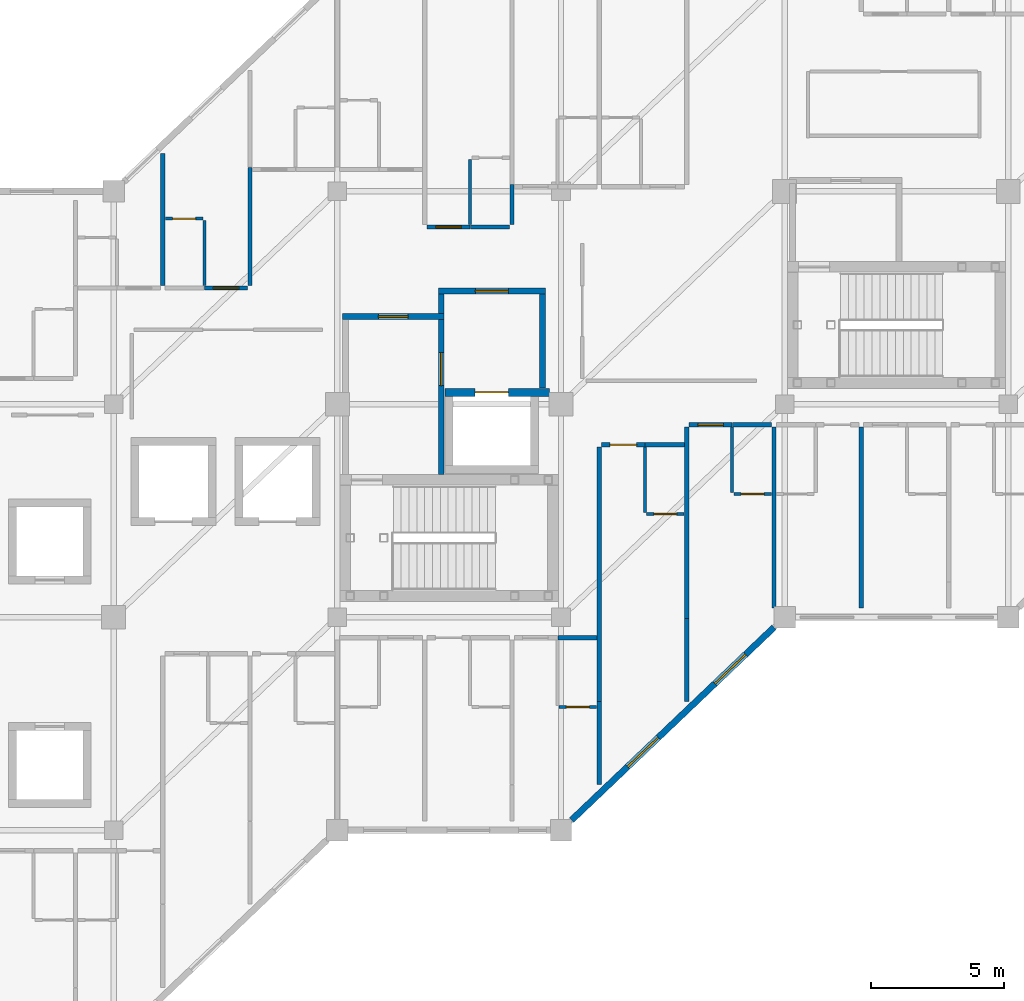
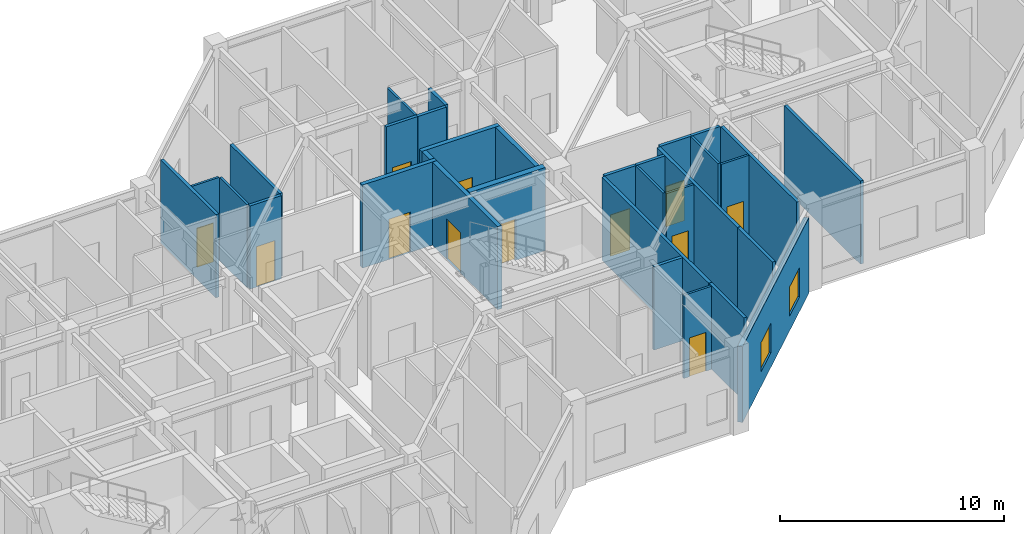
# One storey, part 28 of 37: 32 walls, 12 doors, 2 windows, 14 openings.
"""IFC4 building model written with IfcOpenShell, lengths in metres."""

from ifc_helpers import new_model, si_unit, direction, frame, frame_2d, origin, place, context, subcontext, project, spatial, rectangle, extrude, material, layer, layer_set, type_object, element, fill, save


model = new_model("IFC4")

# Units and contexts
model_context = context("Model", 3, precision=1e-05, world=origin(), true_north=direction((0.0, 1.0)))
body_context = subcontext(model_context, "Body", "Model", "MODEL_VIEW")
ifc_project = project(units=[si_unit("LENGTHUNIT", "METRE"), si_unit("AREAUNIT", "SQUARE_METRE"), si_unit("VOLUMEUNIT", "CUBIC_METRE"), si_unit("PLANEANGLEUNIT", "RADIAN"), si_unit("MASSUNIT", "GRAM", prefix="KILO")], contexts=[model_context])

# Site, building, storey
site_placement = place(None, origin())
site = spatial("IfcSite", under=ifc_project, at=site_placement, CompositionType="ELEMENT")
building_placement = place(site_placement, origin())
building = spatial("IfcBuilding", under=site, at=building_placement, Name="Naruveol Harbour Congress Hotel", CompositionType="ELEMENT")
storey_placement = place(building_placement, frame((0.0, 0.0, 16.199951171875)))
storey = spatial("IfcBuildingStorey", under=building, at=storey_placement, Name="L03", CompositionType="ELEMENT", Elevation=16.199951171875)

# Wall
ifc_material_1 = material(Name="Moisture-Resistant Gypsum Partition", Category="gypsum")
ifc_layer_1 = layer(ifc_material_1, 0.114990234375)
ifc_layer_set_1 = layer_set([ifc_layer_1], Name="Moisture-Resistant Gypsum Partition")
wall_type_1 = type_object("IfcWallType", Name="BATHROOM MOISTURE PARTITION WALL 115", PredefinedType="PARTITIONING", material=ifc_layer_set_1)
wall_1_placement = place(storey_placement, frame((146.2099609375, 28.4599609375, 0.0), z_axis=(0.0, 0.0, 1.0), x_axis=(0.0, 1.0, 0.0)))
element("IfcWall", 1, at=wall_1_placement, inside=storey, type_object=wall_type_1, Name="Bathroom east wall 0465 PW-115", PredefinedType="PARTITIONING", context=body_context, shape_type="SweptSolid", body=[
    extrude(rectangle(XDim=2.449951171875, YDim=0.114990234375, at=frame_2d((1.22509765625, 0.0))), origin(), (0.0, 0.0, 1.0), 4.53515625),
])

# Wall, opening, door
wall_2_placement = place(storey_placement, frame((144.739990234375, 30.969970703125, 0.0), z_axis=(0.0, 0.0, 1.0), x_axis=(1.0, 0.0, 0.0)))
wall_2 = element("IfcWall", 2, at=wall_2_placement, inside=storey, type_object=wall_type_1, Name="Bathroom north wall 0465 PW-115", PredefinedType="PARTITIONING", context=body_context, shape_type="SweptSolid", body=[
    extrude(rectangle(XDim=1.409912109375, YDim=0.114990234375, at=frame_2d((0.705078125, 0.0))), origin(), (0.0, 0.0, 1.0), 4.53515625),
])
opening_1_placement = place(wall_2_placement, frame((0.27490234375, 0.0, 0.0)))
opening_1 = element("IfcOpeningElement", 3, at=opening_1_placement, cuts=wall_2, Name="Opening BD-RM0465", PredefinedType="OPENING", context=body_context, shape_type="SweptSolid", body=[
    extrude(rectangle(XDim=0.860107421875, YDim=2.1201171875, at=frame_2d((0.43017578125, 1.06005859375))), frame((0.0, 0.0673828125, 0.0), z_axis=(0.0, -1.0, 0.0), x_axis=(1.0, 0.0, 0.0)), (0.0, 0.0, 1.0), 0.135009765625),
])
ifc_material_2 = material(Name="Timber & Steel Acoustic Leaf", Category="steel")
door_type_1 = type_object("IfcDoorType", Name="GUEST BATHROOM DOOR 860X2120", OperationType="NOTDEFINED", PredefinedType="DOOR", material=ifc_material_2)
door_1_placement = place(opening_1_placement, origin())
door_1 = element("IfcDoor", 4, at=door_1_placement, inside=storey, type_object=door_type_1, Name="Bathroom Door 0465", OperationType="SINGLE_SWING_RIGHT", OverallHeight=2.1201171875, OverallWidth=0.860107421875, PredefinedType="DOOR", context=body_context, shape_type="SweptSolid", body=[
    extrude(rectangle(XDim=0.860107421875, YDim=2.1201171875, at=frame_2d((0.43017578125, 1.06005859375))), frame((0.0, 0.02490234375, 0.0), z_axis=(0.0, -1.0, 0.0), x_axis=(1.0, 0.0, 0.0)), (0.0, 0.0, 1.0), 0.050048828125),
])
fill(opening_1, door_1)

# Wall
wall_3_placement = place(storey_placement, frame((156.18994140625, 30.75, 0.0), z_axis=(0.0, 0.0, 1.0), x_axis=(0.0, 1.0, 0.0)))
element("IfcWall", 5, at=wall_3_placement, inside=storey, type_object=wall_type_1, Name="Bathroom west wall 0468 PW-115", PredefinedType="PARTITIONING", context=body_context, shape_type="SweptSolid", body=[
    extrude(rectangle(XDim=2.449951171875, YDim=0.114990234375, at=frame_2d((1.22509765625, 0.0))), origin(), (0.0, 0.0, 1.0), 4.53515625),
])

# Wall, opening, door
wall_4_placement = place(storey_placement, frame((159.530029296875, 12.6298828125, 0.0), z_axis=(0.0, 0.0, 1.0), x_axis=(1.0, 0.0, 0.0)))
wall_4 = element("IfcWall", 6, at=wall_4_placement, inside=storey, type_object=wall_type_1, Name="Bathroom south wall 0449 PW-115", PredefinedType="PARTITIONING", context=body_context, shape_type="SweptSolid", body=[
    extrude(rectangle(XDim=1.409912109375, YDim=0.114990234375, at=frame_2d((0.705078125, 0.0))), origin(), (0.0, 0.0, 1.0), 4.53515625),
])
opening_2_placement = place(wall_4_placement, frame((0.27490234375, 0.0, 0.0)))
opening_2 = element("IfcOpeningElement", 7, at=opening_2_placement, cuts=wall_4, Name="Opening BD-RM0449", PredefinedType="OPENING", context=body_context, shape_type="SweptSolid", body=[
    extrude(rectangle(XDim=0.860107421875, YDim=2.1201171875, at=frame_2d((0.43017578125, 1.06005859375))), frame((0.0, 0.0673828125, 0.0), z_axis=(0.0, -1.0, 0.0), x_axis=(1.0, 0.0, 0.0)), (0.0, 0.0, 1.0), 0.135009765625),
])
door_2_placement = place(opening_2_placement, origin())
door_2 = element("IfcDoor", 8, at=door_2_placement, inside=storey, type_object=door_type_1, Name="Bathroom Door 0449", OperationType="SINGLE_SWING_RIGHT", OverallHeight=2.1201171875, OverallWidth=0.860107421875, PredefinedType="DOOR", context=body_context, shape_type="SweptSolid", body=[
    extrude(rectangle(XDim=0.860107421875, YDim=2.1201171875, at=frame_2d((0.43017578125, 1.06005859375))), frame((0.0, 0.02490234375, 0.0), z_axis=(0.0, -1.0, 0.0), x_axis=(1.0, 0.0, 0.0)), (0.0, 0.0, 1.0), 0.050048828125),
])
fill(opening_2, door_2)

# Wall
wall_5_placement = place(storey_placement, frame((162.75, 19.93994140625, 0.0), z_axis=(0.0, 0.0, 1.0), x_axis=(0.0, 1.0, 0.0)))
element("IfcWall", 9, at=wall_5_placement, inside=storey, type_object=wall_type_1, Name="Bathroom west wall 0450 PW-115", PredefinedType="PARTITIONING", context=body_context, shape_type="SweptSolid", body=[
    extrude(rectangle(XDim=2.449951171875, YDim=0.114990234375, at=frame_2d((1.22509765625, 0.0))), origin(), (0.0, 0.0, 1.0), 4.53515625),
])

# Wall, opening, door
wall_6_placement = place(storey_placement, frame((162.81005859375, 19.8798828125, 0.0), z_axis=(0.0, 0.0, 1.0), x_axis=(1.0, 0.0, 0.0)))
wall_6 = element("IfcWall", 10, at=wall_6_placement, inside=storey, type_object=wall_type_1, Name="Bathroom south wall 0450 PW-115", PredefinedType="PARTITIONING", context=body_context, shape_type="SweptSolid", body=[
    extrude(rectangle(XDim=1.409912109375, YDim=0.114990234375, at=frame_2d((0.705078125, 0.0))), origin(), (0.0, 0.0, 1.0), 4.53515625),
])
opening_3_placement = place(wall_6_placement, frame((0.27490234375, 0.0, 0.0)))
opening_3 = element("IfcOpeningElement", 11, at=opening_3_placement, cuts=wall_6, Name="Opening BD-RM0450", PredefinedType="OPENING", context=body_context, shape_type="SweptSolid", body=[
    extrude(rectangle(XDim=0.860107421875, YDim=2.1201171875, at=frame_2d((0.43017578125, 1.06005859375))), frame((0.0, 0.0673828125, 0.0), z_axis=(0.0, -1.0, 0.0), x_axis=(1.0, 0.0, 0.0)), (0.0, 0.0, 1.0), 0.135009765625),
])
door_3_placement = place(opening_3_placement, origin())
door_3 = element("IfcDoor", 12, at=door_3_placement, inside=storey, type_object=door_type_1, Name="Bathroom Door 0450", OperationType="SINGLE_SWING_RIGHT", OverallHeight=2.1201171875, OverallWidth=0.860107421875, PredefinedType="DOOR", context=body_context, shape_type="SweptSolid", body=[
    extrude(rectangle(XDim=0.860107421875, YDim=2.1201171875, at=frame_2d((0.43017578125, 1.06005859375))), frame((0.0, 0.02490234375, 0.0), z_axis=(0.0, -1.0, 0.0), x_axis=(1.0, 0.0, 0.0)), (0.0, 0.0, 1.0), 0.050048828125),
])
fill(opening_3, door_3)

# Wall
wall_7_placement = place(storey_placement, frame((166.030029296875, 20.68994140625, 0.0), z_axis=(0.0, 0.0, 1.0), x_axis=(0.0, 1.0, 0.0)))
element("IfcWall", 13, at=wall_7_placement, inside=storey, type_object=wall_type_1, Name="Bathroom west wall 0451 PW-115", PredefinedType="PARTITIONING", context=body_context, shape_type="SweptSolid", body=[
    extrude(rectangle(XDim=2.449951171875, YDim=0.114990234375, at=frame_2d((1.22509765625, 0.0))), origin(), (0.0, 0.0, 1.0), 4.53515625),
])

# Wall, opening, door
wall_8_placement = place(storey_placement, frame((166.090087890625, 20.6298828125, 0.0), z_axis=(0.0, 0.0, 1.0), x_axis=(1.0, 0.0, 0.0)))
wall_8 = element("IfcWall", 14, at=wall_8_placement, inside=storey, type_object=wall_type_1, Name="Bathroom south wall 0451 PW-115", PredefinedType="PARTITIONING", context=body_context, shape_type="SweptSolid", body=[
    extrude(rectangle(XDim=1.409912109375, YDim=0.114990234375, at=frame_2d((0.705078125, 0.0))), origin(), (0.0, 0.0, 1.0), 4.53515625),
])
opening_4_placement = place(wall_8_placement, frame((0.27490234375, 0.0, 0.0)))
opening_4 = element("IfcOpeningElement", 15, at=opening_4_placement, cuts=wall_8, Name="Opening BD-RM0451", PredefinedType="OPENING", context=body_context, shape_type="SweptSolid", body=[
    extrude(rectangle(XDim=0.860107421875, YDim=2.1201171875, at=frame_2d((0.43017578125, 1.06005859375))), frame((0.0, 0.0673828125, 0.0), z_axis=(0.0, -1.0, 0.0), x_axis=(1.0, 0.0, 0.0)), (0.0, 0.0, 1.0), 0.135009765625),
])
door_4_placement = place(opening_4_placement, origin())
door_4 = element("IfcDoor", 16, at=door_4_placement, inside=storey, type_object=door_type_1, Name="Bathroom Door 0451", OperationType="SINGLE_SWING_RIGHT", OverallHeight=2.1201171875, OverallWidth=0.860107421875, PredefinedType="DOOR", context=body_context, shape_type="SweptSolid", body=[
    extrude(rectangle(XDim=0.860107421875, YDim=2.1201171875, at=frame_2d((0.43017578125, 1.06005859375))), frame((0.0, 0.02490234375, 0.0), z_axis=(0.0, -1.0, 0.0), x_axis=(1.0, 0.0, 0.0)), (0.0, 0.0, 1.0), 0.050048828125),
])
fill(opening_4, door_4)

ifc_material_3 = material(Name="Concrete C40/50", Category="concrete")
ifc_layer_2 = layer(ifc_material_3, 0.219970703125)
ifc_layer_set_2 = layer_set([ifc_layer_2], Name="Concrete C40/50")
wall_type_2 = type_object("IfcWallType", Name="FIRE COMPARTMENT AND LOBBY WALL 220 EI120", PredefinedType="PARTITIONING", material=ifc_layer_set_2)
wall_9_placement = place(storey_placement, frame((151.389892578125, 27.300048828125, 0.0), z_axis=(0.0, 0.0, 1.0), x_axis=(1.0, 0.0, 0.0)))
wall_9 = element("IfcWall", 17, at=wall_9_placement, inside=storey, type_object=wall_type_2, Name="Smoke vestibule ST2 north wall FW-220", PredefinedType="PARTITIONING", context=body_context, shape_type="SweptSolid", body=[
    extrude(rectangle(XDim=3.820068359375, YDim=0.219970703125, at=frame_2d((1.91015625, 0.0))), origin(), (0.0, 0.0, 1.0), 4.53515625),
])
opening_5_placement = place(wall_9_placement, frame((1.35009765625, 0.0, 0.0)))
opening_5 = element("IfcOpeningElement", 18, at=opening_5_placement, cuts=wall_9, Name="Opening FD-ST2-V-L03", PredefinedType="OPENING", context=body_context, shape_type="SweptSolid", body=[
    extrude(rectangle(XDim=1.1201171875, YDim=2.199951171875, at=frame_2d((0.56005859375, 1.10009765625))), frame((0.0, 0.119873046875, 0.0), z_axis=(0.0, -1.0, 0.0), x_axis=(1.0, 0.0, 0.0)), (0.0, 0.0, 1.0), 0.239990234375),
])
ifc_material_4 = material(Name="Timber & Steel Acoustic Leaf", Category="steel")
door_type_2 = type_object("IfcDoorType", Name="VESTIBULE SMOKE CONTROL FIRE DOOR 1120X2200", OperationType="NOTDEFINED", PredefinedType="DOOR", material=ifc_material_4)
door_5_placement = place(opening_5_placement, origin())
door_5 = element("IfcDoor", 19, at=door_5_placement, inside=storey, type_object=door_type_2, Name="Smoke Vestibule Entry Door ST2 L03", OperationType="SINGLE_SWING_LEFT", OverallHeight=2.199951171875, OverallWidth=1.1201171875, PredefinedType="DOOR", context=body_context, shape_type="SweptSolid", body=[
    extrude(rectangle(XDim=1.1201171875, YDim=2.199951171875, at=frame_2d((0.56005859375, 1.10009765625))), frame((0.0, 0.02490234375, 0.0), z_axis=(0.0, -1.0, 0.0), x_axis=(1.0, 0.0, 0.0)), (0.0, 0.0, 1.0), 0.050048828125),
])
fill(opening_5, door_5)

wall_10_placement = place(storey_placement, frame((155.10009765625, 21.364990234375, 0.0), z_axis=(0.0, 0.0, 1.0), x_axis=(0.0, 1.0, 0.0)))
wall_10 = element("IfcWall", 20, at=wall_10_placement, inside=storey, type_object=wall_type_2, Name="Smoke vestibule ST2 east wall FW-220", PredefinedType="PARTITIONING", context=body_context, shape_type="SweptSolid", body=[
    extrude(rectangle(XDim=5.820068359375, YDim=0.219970703125, at=frame_2d((2.91015625, 0.0))), origin(), (0.0, 0.0, 1.0), 4.53515625),
])
opening_6_placement = place(wall_10_placement, frame((3.3349609375, 0.0, 0.0)))
opening_6 = element("IfcOpeningElement", 21, at=opening_6_placement, cuts=wall_10, Name="Opening FD-FFL-ST2-L03", PredefinedType="OPENING", context=body_context, shape_type="SweptSolid", body=[
    extrude(rectangle(XDim=1.239990234375, YDim=2.199951171875, at=frame_2d((0.6201171875, 1.10009765625))), frame((0.0, 0.119873046875, 0.0), z_axis=(0.0, -1.0, 0.0), x_axis=(1.0, 0.0, 0.0)), (0.0, 0.0, 1.0), 0.239990234375),
])
ifc_material_5 = material(Name="Timber & Steel Acoustic Leaf", Category="steel")
door_type_3 = type_object("IfcDoorType", Name="FIREFIGHTING LOBBY FIRE DOOR 1240X2200", OperationType="NOTDEFINED", PredefinedType="DOOR", material=ifc_material_5)
door_6_placement = place(opening_6_placement, origin())
door_6 = element("IfcDoor", 22, at=door_6_placement, inside=storey, type_object=door_type_3, Name="Firefighting Lobby Vestibule Door ST2 L03", OperationType="SINGLE_SWING_RIGHT", OverallHeight=2.199951171875, OverallWidth=1.239990234375, PredefinedType="DOOR", context=body_context, shape_type="SweptSolid", body=[
    extrude(rectangle(XDim=1.239990234375, YDim=2.199951171875, at=frame_2d((0.6201171875, 1.10009765625))), frame((0.0, 0.02490234375, 0.0), z_axis=(0.0, -1.0, 0.0), x_axis=(1.0, 0.0, 0.0)), (0.0, 0.0, 1.0), 0.050048828125),
])
fill(opening_6, door_6)

# Walls
wall_11_placement = place(storey_placement, frame((155.10009765625, 27.4150390625, 0.0), z_axis=(0.0, 0.0, 1.0), x_axis=(0.0, 1.0, 0.0)))
element("IfcWall", 23, at=wall_11_placement, inside=storey, type_object=wall_type_2, Name="Firefighting lift lobby ST2 upper west wall FW-220", PredefinedType="PARTITIONING", context=body_context, shape_type="SweptSolid", body=[
    extrude(rectangle(XDim=0.719970703125, YDim=0.219970703125, at=frame_2d((0.35986328125, 0.0))), origin(), (0.0, 0.0, 1.0), 4.53515625),
])
wall_12_placement = place(storey_placement, frame((158.89990234375, 24.60498046875, 0.0), z_axis=(0.0, 0.0, 1.0), x_axis=(0.0, 1.0, 0.0)))
element("IfcWall", 24, at=wall_12_placement, inside=storey, type_object=wall_type_2, Name="Firefighting lift lobby ST2 east wall FW-220", PredefinedType="PARTITIONING", context=body_context, shape_type="SweptSolid", body=[
    extrude(rectangle(XDim=3.530029296875, YDim=0.219970703125, at=frame_2d((1.76513671875, 0.0))), origin(), (0.0, 0.0, 1.0), 4.53515625),
])

# Wall, opening, door
wall_13_placement = place(storey_placement, frame((154.989990234375, 28.25, 0.0), z_axis=(0.0, 0.0, 1.0), x_axis=(1.0, 0.0, 0.0)))
wall_13 = element("IfcWall", 25, at=wall_13_placement, inside=storey, type_object=wall_type_2, Name="Firefighting lift lobby ST2 north wall FW-220", PredefinedType="PARTITIONING", context=body_context, shape_type="SweptSolid", body=[
    extrude(rectangle(XDim=4.02001953125, YDim=0.219970703125, at=frame_2d((2.010009765625, 0.0))), origin(), (0.0, 0.0, 1.0), 4.53515625),
])
opening_7_placement = place(wall_13_placement, frame((1.389892578125, 0.0, 0.0)))
opening_7 = element("IfcOpeningElement", 26, at=opening_7_placement, cuts=wall_13, Name="Opening FD-FFC-ST2-L03", PredefinedType="OPENING", context=body_context, shape_type="SweptSolid", body=[
    extrude(rectangle(XDim=1.239990234375, YDim=2.199951171875, at=frame_2d((0.6201171875, 1.10009765625))), frame((0.0, 0.119873046875, 0.0), z_axis=(0.0, -1.0, 0.0), x_axis=(1.0, 0.0, 0.0)), (0.0, 0.0, 1.0), 0.239990234375),
])
door_7_placement = place(opening_7_placement, origin())
door_7 = element("IfcDoor", 27, at=door_7_placement, inside=storey, type_object=door_type_3, Name="Firefighting Lobby Corridor Door ST2 L03", OperationType="SINGLE_SWING_LEFT", OverallHeight=2.199951171875, OverallWidth=1.239990234375, PredefinedType="DOOR", context=body_context, shape_type="SweptSolid", body=[
    extrude(rectangle(XDim=1.239990234375, YDim=2.199951171875, at=frame_2d((0.6201171875, 1.10009765625))), frame((0.0, 0.02490234375, 0.0), z_axis=(0.0, -1.0, 0.0), x_axis=(1.0, 0.0, 0.0)), (0.0, 0.0, 1.0), 0.050048828125),
])
fill(opening_7, door_7)

ifc_material_6 = material(Name="Autoclaved Aerated Concrete Block", Category="concrete")
ifc_layer_3 = layer(ifc_material_6, 0.159912109375)
ifc_layer_set_3 = layer_set([ifc_layer_3], Name="Autoclaved Aerated Concrete Block")
wall_type_3 = type_object("IfcWallType", Name="HOTEL PARTY AND CORRIDOR WALL 160 EI60", PredefinedType="PARTITIONING", material=ifc_layer_set_3)
wall_14_placement = place(storey_placement, frame((146.2099609375, 28.3701171875, 0.0), z_axis=(0.0, 0.0, 1.0), x_axis=(1.0, 0.0, 0.0)))
wall_14 = element("IfcWall", 28, at=wall_14_placement, inside=storey, type_object=wall_type_3, Name="Corridor entry wall 0465 PW-160", PredefinedType="PARTITIONING", context=body_context, shape_type="SweptSolid", body=[
    extrude(rectangle(XDim=1.6201171875, YDim=0.159912109375, at=frame_2d((0.81005859375, 0.0))), origin(), (0.0, 0.0, 1.0), 4.53515625),
])
opening_8_placement = place(wall_14_placement, frame((0.330078125, 0.0, 0.0)))
opening_8 = element("IfcOpeningElement", 29, at=opening_8_placement, cuts=wall_14, Name="Opening FD-RM0465", PredefinedType="OPENING", context=body_context, shape_type="SweptSolid", body=[
    extrude(rectangle(XDim=0.9599609375, YDim=2.199951171875, at=frame_2d((0.47998046875, 1.10009765625))), frame((0.0, 0.08984375, 0.0), z_axis=(0.0, -1.0, 0.0), x_axis=(1.0, 0.0, 0.0)), (0.0, 0.0, 1.0), 0.179931640625),
])
ifc_material_7 = material(Name="Timber & Steel Acoustic Leaf", Category="steel")
door_type_4 = type_object("IfcDoorType", Name="GUEST ROOM ENTRANCE FIRE DOOR 960X2200", OperationType="NOTDEFINED", PredefinedType="DOOR", material=ifc_material_7)
door_8_placement = place(opening_8_placement, origin())
door_8 = element("IfcDoor", 30, at=door_8_placement, inside=storey, type_object=door_type_4, Name="Hotel Room Door 0465", OperationType="SINGLE_SWING_LEFT", OverallHeight=2.199951171875, OverallWidth=0.9599609375, PredefinedType="DOOR", context=body_context, shape_type="SweptSolid", body=[
    extrude(rectangle(XDim=0.9599609375, YDim=2.199951171875, at=frame_2d((0.47998046875, 1.10009765625))), frame((0.0, 0.02490234375, 0.0), z_axis=(0.0, -1.0, 0.0), x_axis=(1.0, 0.0, 0.0)), (0.0, 0.0, 1.0), 0.050048828125),
])
fill(opening_8, door_8)

# Walls
wall_15_placement = place(storey_placement, frame((144.639892578125, 28.4599609375, 0.0), z_axis=(0.0, 0.0, 1.0), x_axis=(0.0, 1.0, 0.0)))
element("IfcWall", 31, at=wall_15_placement, inside=storey, type_object=wall_type_3, Name="Hotel party wall 0465 PW-160", PredefinedType="PARTITIONING", context=body_context, shape_type="SweptSolid", body=[
    extrude(rectangle(XDim=4.949951171875, YDim=0.159912109375, at=frame_2d((2.47509765625, 0.0))), origin(), (0.0, 0.0, 1.0), 4.53515625),
])
wall_16_placement = place(storey_placement, frame((147.919921875, 28.4599609375, 0.0), z_axis=(0.0, 0.0, 1.0), x_axis=(0.0, 1.0, 0.0)))
element("IfcWall", 32, at=wall_16_placement, inside=storey, type_object=wall_type_3, Name="Hotel end party wall 0465 PW-160", PredefinedType="PARTITIONING", context=body_context, shape_type="SweptSolid", body=[
    extrude(rectangle(XDim=4.43994140625, YDim=0.159912109375, at=frame_2d((2.219970703125, 0.0))), origin(), (0.0, 0.0, 1.0), 4.53515625),
])

# Wall, opening, door
wall_17_placement = place(storey_placement, frame((154.570068359375, 30.659912109375, 0.0), z_axis=(0.0, 0.0, 1.0), x_axis=(1.0, 0.0, 0.0)))
wall_17 = element("IfcWall", 33, at=wall_17_placement, inside=storey, type_object=wall_type_3, Name="Corridor entry wall 0468 PW-160", PredefinedType="PARTITIONING", context=body_context, shape_type="SweptSolid", body=[
    extrude(rectangle(XDim=1.619873046875, YDim=0.159912109375, at=frame_2d((0.81005859375, 0.0))), origin(), (0.0, 0.0, 1.0), 4.53515625),
])
opening_9_placement = place(wall_17_placement, frame((0.330078125, 0.0, 0.0)))
opening_9 = element("IfcOpeningElement", 34, at=opening_9_placement, cuts=wall_17, Name="Opening FD-RM0468", PredefinedType="OPENING", context=body_context, shape_type="SweptSolid", body=[
    extrude(rectangle(XDim=0.9599609375, YDim=2.199951171875, at=frame_2d((0.47998046875, 1.10009765625))), frame((0.0, 0.08984375, 0.0), z_axis=(0.0, -1.0, 0.0), x_axis=(1.0, 0.0, 0.0)), (0.0, 0.0, 1.0), 0.179931640625),
])
door_9_placement = place(opening_9_placement, origin())
door_9 = element("IfcDoor", 35, at=door_9_placement, inside=storey, type_object=door_type_4, Name="Hotel Room Door 0468", OperationType="SINGLE_SWING_LEFT", OverallHeight=2.199951171875, OverallWidth=0.9599609375, PredefinedType="DOOR", context=body_context, shape_type="SweptSolid", body=[
    extrude(rectangle(XDim=0.9599609375, YDim=2.199951171875, at=frame_2d((0.47998046875, 1.10009765625))), frame((0.0, 0.02490234375, 0.0), z_axis=(0.0, -1.0, 0.0), x_axis=(1.0, 0.0, 0.0)), (0.0, 0.0, 1.0), 0.050048828125),
])
fill(opening_9, door_9)

# Walls
wall_18_placement = place(storey_placement, frame((156.199951171875, 30.659912109375, 0.0), z_axis=(0.0, 0.0, 1.0), x_axis=(1.0, 0.0, 0.0)))
element("IfcWall", 36, at=wall_18_placement, inside=storey, type_object=wall_type_3, Name="Corridor wall 0468B PW-160", PredefinedType="PARTITIONING", context=body_context, shape_type="SweptSolid", body=[
    extrude(rectangle(XDim=1.469970703125, YDim=0.159912109375, at=frame_2d((0.73486328125, 0.0))), origin(), (0.0, 0.0, 1.0), 4.53515625),
])
wall_19_placement = place(storey_placement, frame((157.760009765625, 30.75, 0.0), z_axis=(0.0, 0.0, 1.0), x_axis=(0.0, 1.0, 0.0)))
element("IfcWall", 37, at=wall_19_placement, inside=storey, type_object=wall_type_3, Name="Hotel end party wall 0468 PW-160", PredefinedType="PARTITIONING", context=body_context, shape_type="SweptSolid", body=[
    extrude(rectangle(XDim=1.5, YDim=0.159912109375, at=frame_2d((0.75, 0.0))), origin(), (0.0, 0.0, 1.0), 4.53515625),
])
wall_20_placement = place(storey_placement, frame((159.47998046875, 15.22998046875, 0.0), z_axis=(0.0, 0.0, 1.0), x_axis=(1.0, 0.0, 0.0)))
element("IfcWall", 38, at=wall_20_placement, inside=storey, type_object=wall_type_3, Name="Corridor wall 0449B PW-160", PredefinedType="PARTITIONING", context=body_context, shape_type="SweptSolid", body=[
    extrude(rectangle(XDim=1.469970703125, YDim=0.159912109375, at=frame_2d((0.73486328125, 0.0))), origin(), (0.0, 0.0, 1.0), 4.53515625),
])
wall_21_placement = place(storey_placement, frame((161.0400390625, 9.7099609375, 0.0), z_axis=(0.0, 0.0, 1.0), x_axis=(0.0, 1.0, 0.0)))
element("IfcWall", 39, at=wall_21_placement, inside=storey, type_object=wall_type_3, Name="Hotel end party wall 0449 PW-160", PredefinedType="PARTITIONING", context=body_context, shape_type="SweptSolid", body=[
    extrude(rectangle(XDim=3.1201171875, YDim=0.159912109375, at=frame_2d((1.56005859375, 0.0))), origin(), (0.0, 0.0, 1.0), 4.53515625),
])

# Wall, opening, door
wall_22_placement = place(storey_placement, frame((161.1298828125, 22.47998046875, 0.0), z_axis=(0.0, 0.0, 1.0), x_axis=(1.0, 0.0, 0.0)))
wall_22 = element("IfcWall", 40, at=wall_22_placement, inside=storey, type_object=wall_type_3, Name="Corridor entry wall 0450 PW-160", PredefinedType="PARTITIONING", context=body_context, shape_type="SweptSolid", body=[
    extrude(rectangle(XDim=1.6201171875, YDim=0.159912109375, at=frame_2d((0.81005859375, 0.0))), origin(), (0.0, 0.0, 1.0), 4.53515625),
])
opening_10_placement = place(wall_22_placement, frame((0.31005859375, 0.0, 0.0)))
opening_10 = element("IfcOpeningElement", 41, at=opening_10_placement, cuts=wall_22, Name="Opening FD-RM0450", PredefinedType="OPENING", context=body_context, shape_type="SweptSolid", body=[
    extrude(rectangle(XDim=1.0, YDim=2.25, at=frame_2d((0.5, 1.125))), frame((0.0, 0.08984375, 0.0), z_axis=(0.0, -1.0, 0.0), x_axis=(1.0, 0.0, 0.0)), (0.0, 0.0, 1.0), 0.179931640625),
])
ifc_material_8 = material(Name="Timber & Steel Acoustic Leaf", Category="steel")
door_type_5 = type_object("IfcDoorType", Name="DELUXE GUEST ENTRANCE FIRE DOOR 1000X2250", OperationType="NOTDEFINED", PredefinedType="DOOR", material=ifc_material_8)
door_10_placement = place(opening_10_placement, origin())
door_10 = element("IfcDoor", 42, at=door_10_placement, inside=storey, type_object=door_type_5, Name="Hotel Room Door 0450", OperationType="SINGLE_SWING_LEFT", OverallHeight=2.25, OverallWidth=1.0, PredefinedType="DOOR", context=body_context, shape_type="SweptSolid", body=[
    extrude(rectangle(XDim=1.0, YDim=2.25, at=frame_2d((0.5, 1.125))), frame((0.0, 0.02490234375, 0.0), z_axis=(0.0, -1.0, 0.0), x_axis=(1.0, 0.0, 0.0)), (0.0, 0.0, 1.0), 0.050048828125),
])
fill(opening_10, door_10)

# Walls
wall_23_placement = place(storey_placement, frame((162.760009765625, 22.47998046875, 0.0), z_axis=(0.0, 0.0, 1.0), x_axis=(1.0, 0.0, 0.0)))
element("IfcWall", 43, at=wall_23_placement, inside=storey, type_object=wall_type_3, Name="Corridor wall 0450B PW-160", PredefinedType="PARTITIONING", context=body_context, shape_type="SweptSolid", body=[
    extrude(rectangle(XDim=1.469970703125, YDim=0.159912109375, at=frame_2d((0.73486328125, 0.0))), origin(), (0.0, 0.0, 1.0), 4.53515625),
])
wall_24_placement = place(storey_placement, frame((161.0400390625, 12.840087890625, 0.0), z_axis=(0.0, 0.0, 1.0), x_axis=(0.0, 1.0, 0.0)))
element("IfcWall", 44, at=wall_24_placement, inside=storey, type_object=wall_type_3, Name="Hotel party wall 0450 PW-160", PredefinedType="PARTITIONING", context=body_context, shape_type="SweptSolid", body=[
    extrude(rectangle(XDim=9.5498046875, YDim=0.159912109375, at=frame_2d((4.77490234375, 0.0))), origin(), (0.0, 0.0, 1.0), 4.53515625),
])
wall_25_placement = place(storey_placement, frame((164.320068359375, 12.840087890625, 0.0), z_axis=(0.0, 0.0, 1.0), x_axis=(0.0, 1.0, 0.0)))
element("IfcWall", 45, at=wall_25_placement, inside=storey, type_object=wall_type_3, Name="Hotel end party wall 0450 PW-160", PredefinedType="PARTITIONING", context=body_context, shape_type="SweptSolid", body=[
    extrude(rectangle(XDim=3.10986328125, YDim=0.159912109375, at=frame_2d((1.554931640625, 0.0))), origin(), (0.0, 0.0, 1.0), 4.53515625),
])

# Wall, opening, door
wall_26_placement = place(storey_placement, frame((164.409912109375, 23.22998046875, 0.0), z_axis=(0.0, 0.0, 1.0), x_axis=(1.0, 0.0, 0.0)))
wall_26 = element("IfcWall", 46, at=wall_26_placement, inside=storey, type_object=wall_type_3, Name="Corridor entry wall 0451 PW-160", PredefinedType="PARTITIONING", context=body_context, shape_type="SweptSolid", body=[
    extrude(rectangle(XDim=1.6201171875, YDim=0.159912109375, at=frame_2d((0.81005859375, 0.0))), origin(), (0.0, 0.0, 1.0), 4.53515625),
])
opening_11_placement = place(wall_26_placement, frame((0.330078125, 0.0, 0.0)))
opening_11 = element("IfcOpeningElement", 47, at=opening_11_placement, cuts=wall_26, Name="Opening FD-RM0451", PredefinedType="OPENING", context=body_context, shape_type="SweptSolid", body=[
    extrude(rectangle(XDim=0.9599609375, YDim=2.199951171875, at=frame_2d((0.47998046875, 1.10009765625))), frame((0.0, 0.08984375, 0.0), z_axis=(0.0, -1.0, 0.0), x_axis=(1.0, 0.0, 0.0)), (0.0, 0.0, 1.0), 0.179931640625),
])
door_11_placement = place(opening_11_placement, origin())
door_11 = element("IfcDoor", 48, at=door_11_placement, inside=storey, type_object=door_type_4, Name="Hotel Room Door 0451", OperationType="SINGLE_SWING_LEFT", OverallHeight=2.199951171875, OverallWidth=0.9599609375, PredefinedType="DOOR", context=body_context, shape_type="SweptSolid", body=[
    extrude(rectangle(XDim=0.9599609375, YDim=2.199951171875, at=frame_2d((0.47998046875, 1.10009765625))), frame((0.0, 0.02490234375, 0.0), z_axis=(0.0, -1.0, 0.0), x_axis=(1.0, 0.0, 0.0)), (0.0, 0.0, 1.0), 0.050048828125),
])
fill(opening_11, door_11)

# Walls
wall_27_placement = place(storey_placement, frame((166.0400390625, 23.22998046875, 0.0), z_axis=(0.0, 0.0, 1.0), x_axis=(1.0, 0.0, 0.0)))
element("IfcWall", 49, at=wall_27_placement, inside=storey, type_object=wall_type_3, Name="Corridor wall 0451B PW-160", PredefinedType="PARTITIONING", context=body_context, shape_type="SweptSolid", body=[
    extrude(rectangle(XDim=1.469970703125, YDim=0.159912109375, at=frame_2d((0.73486328125, 0.0))), origin(), (0.0, 0.0, 1.0), 4.53515625),
])
wall_28_placement = place(storey_placement, frame((164.320068359375, 15.9599609375, 0.0), z_axis=(0.0, 0.0, 1.0), x_axis=(0.0, 1.0, 0.0)))
element("IfcWall", 50, at=wall_28_placement, inside=storey, type_object=wall_type_3, Name="Hotel party wall 0451 PW-160", PredefinedType="PARTITIONING", context=body_context, shape_type="SweptSolid", body=[
    extrude(rectangle(XDim=7.179931640625, YDim=0.159912109375, at=frame_2d((3.58984375, 0.0))), origin(), (0.0, 0.0, 1.0), 4.53515625),
])
for number, where, z_axis, x_axis, name in (
    (51, (167.60009765625, 16.340087890625, 0.0), (0.0, 0.0, 1.0), (0.0, 1.0, 0.0), "Hotel party wall 0452 PW-160"),
    (52, (170.8798828125, 16.340087890625, 0.0), (0.0, 0.0, 1.0), (0.0, 1.0, 0.0), "Hotel party wall 0453 PW-160"),
):
    element("IfcWall", number, at=place(storey_placement, frame(where, z_axis=z_axis, x_axis=x_axis)), inside=storey, type_object=wall_type_3, Name=name, PredefinedType="PARTITIONING", context=body_context, shape_type="SweptSolid", body=[
        extrude(rectangle(XDim=6.7998046875, YDim=0.159912109375, at=frame_2d((3.39990234375, 0.0))), origin(), (0.0, 0.0, 1.0), 4.53515625),
    ])

# Wall, openings, windows
ifc_material_9 = material(Name="Concrete C40/50", Category="concrete")
ifc_layer_4 = layer(ifc_material_9, 0.239990234375)
ifc_layer_set_4 = layer_set([ifc_layer_4], Name="Concrete C40/50")
wall_type_4 = type_object("IfcWallType", Name="INSULATED HOTEL SPANDREL WALL 240", PredefinedType="SOLIDWALL", material=ifc_layer_set_4)
wall_29_placement = place(storey_placement, frame((167.60009765625, 15.618896484375, 0.0), z_axis=(0.0, 0.0, 1.0), x_axis=(-0.724156739794, -0.689635422677, 0.0)))
wall_29 = element("IfcWall", 53, at=wall_29_placement, inside=storey, type_object=wall_type_4, Name="Hotel south waterfront wall L03 EW-240", PredefinedType="SOLIDWALL", context=body_context, shape_type="SweptSolid", body=[
    extrude(rectangle(XDim=10.4951171875, YDim=0.239990234375, at=frame_2d((5.24755859375, 0.0))), origin(), (0.0, 0.0, 1.0), 4.130126953125),
])
opening_12_placement = place(wall_29_placement, frame((1.465087890625, 0.0, 0.800048828125)))
opening_12 = element("IfcOpeningElement", 54, at=opening_12_placement, cuts=wall_29, Name="Opening W-03", PredefinedType="OPENING", context=body_context, shape_type="SweptSolid", body=[
    extrude(rectangle(XDim=1.60009765625, YDim=1.60009765625, at=frame_2d((0.800048828125, 0.800048828125))), frame((0.0, 0.1298828125, 0.0), z_axis=(0.0, -1.0, 0.0), x_axis=(1.0, 0.0, 0.0)), (0.0, 0.0, 1.0), 0.260009765625),
])
opening_13_placement = place(wall_29_placement, frame((5.993896484375, 0.0, 0.800048828125)))
opening_13 = element("IfcOpeningElement", 55, at=opening_13_placement, cuts=wall_29, Name="Opening W-03", PredefinedType="OPENING", context=body_context, shape_type="SweptSolid", body=[
    extrude(rectangle(XDim=1.60009765625, YDim=1.60009765625, at=frame_2d((0.800048828125, 0.800048828125))), frame((0.0, 0.1298828125, 0.0), z_axis=(0.0, -1.0, 0.0), x_axis=(1.0, 0.0, 0.0)), (0.0, 0.0, 1.0), 0.260009765625),
])
ifc_material_10 = material(Name="Low-E Triple Glazing in Thermal Aluminium", Category="aluminium")
window_type = type_object("IfcWindowType", Name="DELUXE GUEST WINDOW 1600X1600", PartitioningType="SINGLE_PANEL", PredefinedType="WINDOW", material=ifc_material_10)
window_1_placement = place(opening_12_placement, origin())
window_1 = element("IfcWindow", 56, at=window_1_placement, inside=storey, type_object=window_type, Name="Window W-03 #251", OverallHeight=1.60009765625, OverallWidth=1.60009765625, PartitioningType="SINGLE_PANEL", PredefinedType="WINDOW", context=body_context, shape_type="SweptSolid", body=[
    extrude(rectangle(XDim=1.60009765625, YDim=1.60009765625, at=frame_2d((0.800048828125, 0.800048828125))), frame((0.0, 0.030029296875, 0.0), z_axis=(0.0, -1.0, 0.0), x_axis=(1.0, 0.0, 0.0)), (0.0, 0.0, 1.0), 0.06005859375),
])
fill(opening_12, window_1)
window_2_placement = place(opening_13_placement, origin())
window_2 = element("IfcWindow", 57, at=window_2_placement, inside=storey, type_object=window_type, Name="Window W-03 #252", OverallHeight=1.60009765625, OverallWidth=1.60009765625, PartitioningType="SINGLE_PANEL", PredefinedType="WINDOW", context=body_context, shape_type="SweptSolid", body=[
    extrude(rectangle(XDim=1.60009765625, YDim=1.60009765625, at=frame_2d((0.800048828125, 0.800048828125))), frame((0.0, 0.030029296875, 0.0), z_axis=(0.0, -1.0, 0.0), x_axis=(1.0, 0.0, 0.0)), (0.0, 0.0, 1.0), 0.06005859375),
])
fill(opening_13, window_2)

# Wall, opening, door
ifc_material_11 = material(Name="Concrete C50/60", Category="concrete")
ifc_layer_5 = layer(ifc_material_11, 0.300048828125)
ifc_layer_set_5 = layer_set([ifc_layer_5], Name="Concrete C50/60")
wall_type_5 = type_object("IfcWallType", Name="RC STAIR AND HOISTWAY SHEAR WALL 300 EI120", PredefinedType="SHEAR", material=ifc_layer_set_5)
wall_30_placement = place(storey_placement, frame((159.159912109375, 24.449951171875, 0.0), z_axis=(0.0, 0.0, 1.0), x_axis=(-1.0, 0.0, 0.0)))
wall_30 = element("IfcWall", 58, at=wall_30_placement, inside=storey, type_object=wall_type_5, Name="Hoistway north shear wall FL2 SW-300", PredefinedType="SHEAR", context=body_context, shape_type="SweptSolid", body=[
    extrude(rectangle(XDim=3.909912109375, YDim=0.300048828125, at=frame_2d((1.955078125, 0.0))), origin(), (0.0, 0.0, 1.0), 4.53515625),
])
opening_14_placement = place(wall_30_placement, frame((1.534912109375, 0.0, 0.0)))
opening_14 = element("IfcOpeningElement", 59, at=opening_14_placement, cuts=wall_30, Name="Opening LD-FL2-L03", PredefinedType="OPENING", context=body_context, shape_type="SweptSolid", body=[
    extrude(rectangle(XDim=1.25, YDim=2.25, at=frame_2d((0.625, 1.125))), frame((0.0, 0.159912109375, 0.0), z_axis=(0.0, -1.0, 0.0), x_axis=(1.0, 0.0, 0.0)), (0.0, 0.0, 1.0), 0.320068359375),
])
ifc_material_12 = material(Name="Stainless Steel Lift Door", Category="steel")
door_type_6 = type_object("IfcDoorType", Name="FIREFIGHTING LIFT LANDING DOOR 1250X2250", OperationType="DOUBLE_DOOR_SLIDING", PredefinedType="DOOR", material=ifc_material_12)
door_12_placement = place(opening_14_placement, origin())
door_12 = element("IfcDoor", 60, at=door_12_placement, inside=storey, type_object=door_type_6, Name="Elevator Landing Door FL2 L03", OperationType="DOUBLE_DOOR_SLIDING", OverallHeight=2.25, OverallWidth=1.25, PredefinedType="DOOR", context=body_context, shape_type="SweptSolid", body=[
    extrude(rectangle(XDim=1.25, YDim=2.25, at=frame_2d((0.625, 1.125))), frame((0.0, 0.02490234375, 0.0), z_axis=(0.0, -1.0, 0.0), x_axis=(1.0, 0.0, 0.0)), (0.0, 0.0, 1.0), 0.050048828125),
])
fill(opening_14, door_12)

save(model, "model.ifc")
